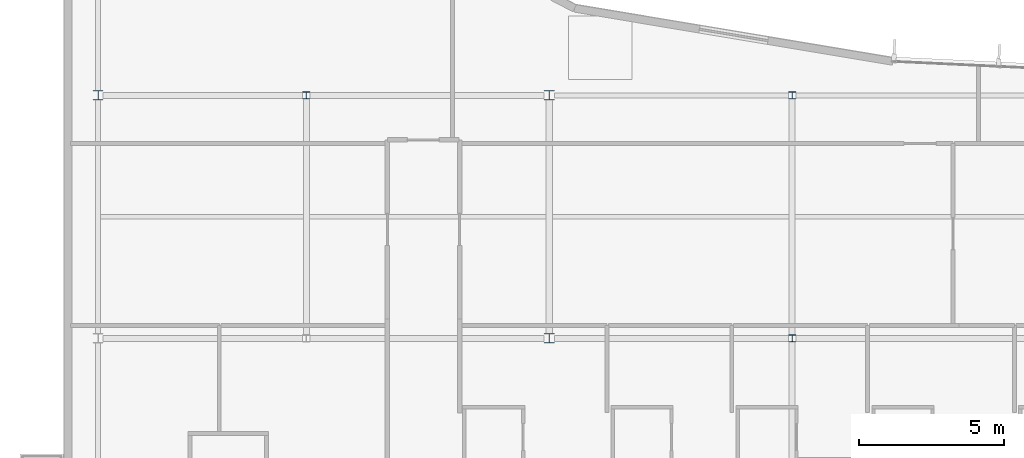
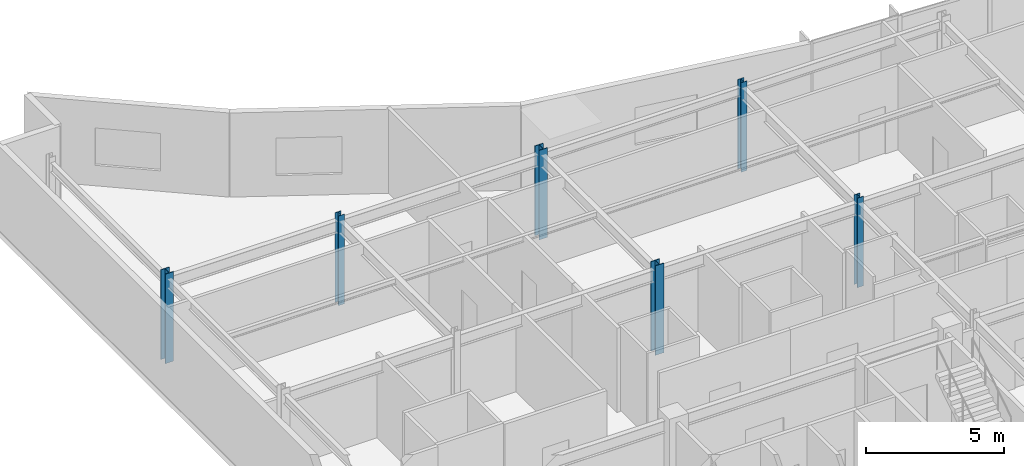
# One storey, part 2 of 16: 6 columns.
"""IFC4 building model written with IfcOpenShell, lengths in metres."""

from ifc_helpers import new_model, si_unit, direction, frame, origin, origin_2d, place, context, subcontext, project, spatial, i_section, extrude, material, material_profile, profile_set, type_object, element, save


model = new_model("IFC4")

# Units and contexts
model_context = context("Model", 3, precision=1e-05, world=origin(), true_north=direction((0.0, 1.0)))
body_context = subcontext(model_context, "Body", "Model", "MODEL_VIEW")
ifc_project = project(units=[si_unit("LENGTHUNIT", "METRE"), si_unit("AREAUNIT", "SQUARE_METRE"), si_unit("VOLUMEUNIT", "CUBIC_METRE"), si_unit("PLANEANGLEUNIT", "RADIAN"), si_unit("MASSUNIT", "GRAM", prefix="KILO")], contexts=[model_context])

# Site, building, storey
site_placement = place(None, origin())
site = spatial("IfcSite", under=ifc_project, at=site_placement, CompositionType="ELEMENT")
building_placement = place(site_placement, origin())
building = spatial("IfcBuilding", under=site, at=building_placement, Name="Varnakote Quay Hospital", CompositionType="ELEMENT")
storey_placement = place(building_placement, frame((0.0, 0.0, 260.5)))
storey = spatial("IfcBuildingStorey", under=building, at=storey_placement, Name="L64", CompositionType="ELEMENT", Elevation=260.5)

# Columns
ifc_material_1 = material(Name="Structural steel AS/NZS 3679.1 Grade 350 L0 (fy 340 MPa)", Category="steel")
ifc_material_profile_1 = material_profile(ifc_material_1, i_section(OverallWidth=0.25390625, OverallDepth=0.25390625, WebThickness=0.008544921875, FlangeThickness=0.01416015625, FilletRadius=0.0126953125, at=origin_2d()), Name="250UC72.9")
ifc_profile_set_1 = profile_set([ifc_material_profile_1], Name="Structural steel AS/NZS 3679.1 Grade 350 L0 (fy 340 MPa)")
column_type_1 = type_object("IfcColumnType", Name="COL-STL-250UC72-9", PredefinedType="COLUMN", material=ifc_profile_set_1)
for number, where, z_axis, x_axis, name in (
    (1, (25.199951171875, 20.39990234375, 0.0), (0.0, 0.0, 1.0), (1.0, 0.0, 0.0), "L64 Structural Column C-25-20"),
    (2, (8.39990234375, 28.800048828125, 0.0), (0.0, 0.0, 1.0), (1.0, 0.0, 0.0), "L64 Structural Column C-8-29"),
    (3, (25.199951171875, 28.800048828125, 0.0), (0.0, 0.0, 1.0), (1.0, 0.0, 0.0), "L64 Structural Column C-25-29"),
):
    element("IfcColumn", number, at=place(storey_placement, frame(where, z_axis=z_axis, x_axis=x_axis)), inside=storey, type_object=column_type_1, Name=name, PredefinedType="COLUMN", context=body_context, shape_type="SweptSolid", body=[
        extrude(i_section(OverallWidth=0.25390625, OverallDepth=0.25390625, WebThickness=0.008544921875, FlangeThickness=0.01416015625, FilletRadius=0.0126953125, at=origin_2d()), origin(), (0.0, 0.0, 1.0), 3.949951171875),
    ])
ifc_material_2 = material(Name="Structural steel AS/NZS 3678 Grade 350 (fy 340 MPa)", Category="steel")
ifc_material_profile_2 = material_profile(ifc_material_2, i_section(OverallWidth=0.35009765625, OverallDepth=0.340087890625, WebThickness=0.01611328125, FlangeThickness=0.028076171875, at=origin_2d()), Name="350WC197")
ifc_profile_set_2 = profile_set([ifc_material_profile_2], Name="Structural steel AS/NZS 3678 Grade 350 (fy 340 MPa)")
column_type_2 = type_object("IfcColumnType", Name="COL-STL-350WC197", PredefinedType="COLUMN", material=ifc_profile_set_2)
for number, where, z_axis, x_axis, name in (
    (4, (16.800048828125, 20.39990234375, 0.0), (0.0, 0.0, 1.0), (1.0, 0.0, 0.0), "L64 Structural Column C-17-20"),
    (5, (1.199951171875, 28.800048828125, 0.0), (0.0, 0.0, 1.0), (1.0, 0.0, 0.0), "L64 Structural Column C-1-29"),
    (6, (16.800048828125, 28.800048828125, 0.0), (0.0, 0.0, 1.0), (1.0, 0.0, 0.0), "L64 Structural Column C-17-29"),
):
    element("IfcColumn", number, at=place(storey_placement, frame(where, z_axis=z_axis, x_axis=x_axis)), inside=storey, type_object=column_type_2, Name=name, PredefinedType="COLUMN", context=body_context, shape_type="SweptSolid", body=[
        extrude(i_section(OverallWidth=0.35009765625, OverallDepth=0.340087890625, WebThickness=0.01611328125, FlangeThickness=0.028076171875, at=origin_2d()), origin(), (0.0, 0.0, 1.0), 3.949951171875),
    ])

save(model, "model.ifc")
